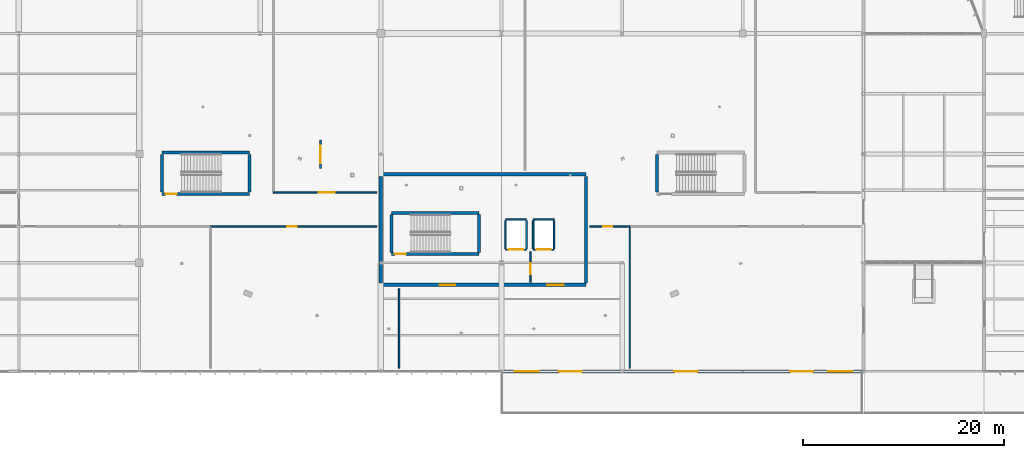
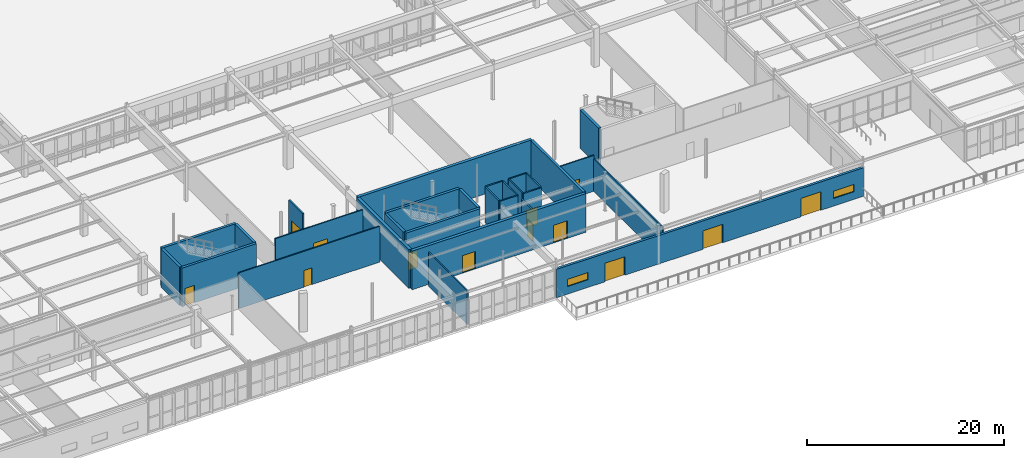
# One storey, part 161 of 199: 29 walls, 14 doors, 2 windows, 16 openings.
"""IFC4 building model written with IfcOpenShell, lengths in metres."""

from ifc_helpers import new_model, si_unit, direction, frame, frame_2d, origin, place, context, subcontext, project, spatial, rectangle, extrude, material, layer, layer_set, type_object, element, fill, save


model = new_model("IFC4")

# Units and contexts
model_context = context("Model", 3, precision=1e-05, world=origin(), true_north=direction((0.0, 1.0)))
body_context = subcontext(model_context, "Body", "Model", "MODEL_VIEW")
ifc_project = project(units=[si_unit("LENGTHUNIT", "METRE"), si_unit("AREAUNIT", "SQUARE_METRE"), si_unit("VOLUMEUNIT", "CUBIC_METRE"), si_unit("PLANEANGLEUNIT", "RADIAN"), si_unit("MASSUNIT", "GRAM", prefix="KILO")], contexts=[model_context])

# Site, building, storey
site_placement = place(None, origin())
site = spatial("IfcSite", under=ifc_project, at=site_placement, CompositionType="ELEMENT")
building_placement = place(site_placement, origin())
building = spatial("IfcBuilding", under=site, at=building_placement, Name="Tarnwether General Hospital", CompositionType="ELEMENT")
storey_placement = place(building_placement, origin())
storey = spatial("IfcBuildingStorey", under=building, at=storey_placement, Name="L00", CompositionType="ELEMENT", Elevation=0.0)

# Wall, openings, doors, windows
ifc_material_1 = material(Name="Precast concrete 40 MPa", Category="concrete")
ifc_layer_1 = layer(ifc_material_1, 0.280029296875)
ifc_layer_set_1 = layer_set([ifc_layer_1], Name="Precast concrete 40 MPa")
wall_type_1 = type_object("IfcWallType", Name="WL-EX280", PredefinedType="STANDARD", material=ifc_layer_set_1)
wall_1_placement = place(storey_placement, frame((132.0, 0.0, 0.0), z_axis=(0.0, 0.0, 1.0), x_axis=(-1.0, 0.0, 0.0)))
wall_1 = element("IfcWall", 1, at=wall_1_placement, inside=storey, type_object=wall_type_1, Name="L00 South Street Wall EW-L00-0288", PredefinedType="STANDARD", context=body_context, shape_type="SweptSolid", body=[
    extrude(rectangle(XDim=36.0, YDim=0.280029296875, at=frame_2d((18.0, 0.0))), origin(), (0.0, 0.0, 1.0), 3.530029296875),
])
opening_1_placement = place(wall_1_placement, frame((5.0, 0.0, 0.0)))
opening_1 = element("IfcOpeningElement", 2, at=opening_1_placement, cuts=wall_1, Name="Opening ED-02", PredefinedType="OPENING", context=body_context, shape_type="SweptSolid", body=[
    extrude(rectangle(XDim=2.300048828125, YDim=2.300048828125, at=frame_2d((1.14990234375, 1.14990234375))), frame((0.0, 0.14990234375, 0.0), z_axis=(0.0, -1.0, 0.0), x_axis=(1.0, 0.0, 0.0)), (0.0, 0.0, 1.0), 0.300048828125),
])
opening_2_placement = place(wall_1_placement, frame((16.5, 0.0, 0.0)))
opening_2 = element("IfcOpeningElement", 3, at=opening_2_placement, cuts=wall_1, Name="Opening ED-02", PredefinedType="OPENING", context=body_context, shape_type="SweptSolid", body=[
    extrude(rectangle(XDim=2.300048828125, YDim=2.300048828125, at=frame_2d((1.14990234375, 1.14990234375))), frame((0.0, 0.14990234375, 0.0), z_axis=(0.0, -1.0, 0.0), x_axis=(1.0, 0.0, 0.0)), (0.0, 0.0, 1.0), 0.300048828125),
])
opening_3_placement = place(wall_1_placement, frame((28.0, 0.0, 0.0)))
opening_3 = element("IfcOpeningElement", 4, at=opening_3_placement, cuts=wall_1, Name="Opening ED-02", PredefinedType="OPENING", context=body_context, shape_type="SweptSolid", body=[
    extrude(rectangle(XDim=2.300048828125, YDim=2.300048828125, at=frame_2d((1.14990234375, 1.14990234375))), frame((0.0, 0.14990234375, 0.0), z_axis=(0.0, -1.0, 0.0), x_axis=(1.0, 0.0, 0.0)), (0.0, 0.0, 1.0), 0.300048828125),
])
opening_4_placement = place(wall_1_placement, frame((1.10009765625, 0.0, 0.949951171875)))
opening_4 = element("IfcOpeningElement", 5, at=opening_4_placement, cuts=wall_1, Name="Opening W-19", PredefinedType="OPENING", context=body_context, shape_type="SweptSolid", body=[
    extrude(rectangle(XDim=2.39990234375, YDim=0.89990234375, at=frame_2d((1.199951171875, 0.449951171875))), frame((0.0, 0.14990234375, 0.0), z_axis=(0.0, -1.0, 0.0), x_axis=(1.0, 0.0, 0.0)), (0.0, 0.0, 1.0), 0.300048828125),
])
opening_5_placement = place(wall_1_placement, frame((32.300048828125, 0.0, 0.949951171875)))
opening_5 = element("IfcOpeningElement", 6, at=opening_5_placement, cuts=wall_1, Name="Opening W-19", PredefinedType="OPENING", context=body_context, shape_type="SweptSolid", body=[
    extrude(rectangle(XDim=2.39990234375, YDim=0.89990234375, at=frame_2d((1.199951171875, 0.449951171875))), frame((0.0, 0.14990234375, 0.0), z_axis=(0.0, -1.0, 0.0), x_axis=(1.0, 0.0, 0.0)), (0.0, 0.0, 1.0), 0.300048828125),
])
ifc_material_2 = material(Name="Anodised aluminium", Category="aluminium")
door_type_1 = type_object("IfcDoorType", Name="DR-EX02", OperationType="NOTDEFINED", PredefinedType="DOOR", material=ifc_material_2)
door_1_placement = place(opening_1_placement, origin())
door_1 = element("IfcDoor", 7, at=door_1_placement, inside=storey, type_object=door_type_1, Name="L00 South Final Exit A ED-L00-0016", OperationType="DOUBLE_DOOR_SINGLE_SWING", OverallHeight=2.300048828125, OverallWidth=2.300048828125, PredefinedType="DOOR", context=body_context, shape_type="SweptSolid", body=[
    extrude(rectangle(XDim=2.300048828125, YDim=2.300048828125, at=frame_2d((1.14990234375, 1.14990234375))), frame((0.0, 0.02490234375, 0.0), z_axis=(0.0, -1.0, 0.0), x_axis=(1.0, 0.0, 0.0)), (0.0, 0.0, 1.0), 0.050048828125),
])
fill(opening_1, door_1)
door_2_placement = place(opening_2_placement, origin())
door_2 = element("IfcDoor", 8, at=door_2_placement, inside=storey, type_object=door_type_1, Name="L00 South Final Exit B ED-L00-0017", OperationType="DOUBLE_DOOR_SINGLE_SWING", OverallHeight=2.300048828125, OverallWidth=2.300048828125, PredefinedType="DOOR", context=body_context, shape_type="SweptSolid", body=[
    extrude(rectangle(XDim=2.300048828125, YDim=2.300048828125, at=frame_2d((1.14990234375, 1.14990234375))), frame((0.0, 0.02490234375, 0.0), z_axis=(0.0, -1.0, 0.0), x_axis=(1.0, 0.0, 0.0)), (0.0, 0.0, 1.0), 0.050048828125),
])
fill(opening_2, door_2)
door_3_placement = place(opening_3_placement, origin())
door_3 = element("IfcDoor", 9, at=door_3_placement, inside=storey, type_object=door_type_1, Name="L00 South Final Exit C ED-L00-0018", OperationType="DOUBLE_DOOR_SINGLE_SWING", OverallHeight=2.300048828125, OverallWidth=2.300048828125, PredefinedType="DOOR", context=body_context, shape_type="SweptSolid", body=[
    extrude(rectangle(XDim=2.300048828125, YDim=2.300048828125, at=frame_2d((1.14990234375, 1.14990234375))), frame((0.0, 0.02490234375, 0.0), z_axis=(0.0, -1.0, 0.0), x_axis=(1.0, 0.0, 0.0)), (0.0, 0.0, 1.0), 0.050048828125),
])
fill(opening_3, door_3)
ifc_material_3 = material(Name="Double glazed low-E glass", Category="glass")
window_type = type_object("IfcWindowType", Name="WN-19", PartitioningType="DOUBLE_PANEL_HORIZONTAL", PredefinedType="WINDOW", material=ifc_material_3)
window_1_placement = place(opening_4_placement, origin())
window_1 = element("IfcWindow", 10, at=window_1_placement, inside=storey, type_object=window_type, Name="Window WN-L00-0056", OverallHeight=0.89990234375, OverallWidth=2.39990234375, PartitioningType="DOUBLE_PANEL_HORIZONTAL", PredefinedType="WINDOW", context=body_context, shape_type="SweptSolid", body=[
    extrude(rectangle(XDim=2.39990234375, YDim=0.89990234375, at=frame_2d((1.199951171875, 0.449951171875))), frame((0.0, 0.030029296875, 0.0), z_axis=(0.0, -1.0, 0.0), x_axis=(1.0, 0.0, 0.0)), (0.0, 0.0, 1.0), 0.06005859375),
])
fill(opening_4, window_1)
window_2_placement = place(opening_5_placement, origin())
window_2 = element("IfcWindow", 11, at=window_2_placement, inside=storey, type_object=window_type, Name="Window WN-L00-0057", OverallHeight=0.89990234375, OverallWidth=2.39990234375, PartitioningType="DOUBLE_PANEL_HORIZONTAL", PredefinedType="WINDOW", context=body_context, shape_type="SweptSolid", body=[
    extrude(rectangle(XDim=2.39990234375, YDim=0.89990234375, at=frame_2d((1.199951171875, 0.449951171875))), frame((0.0, 0.030029296875, 0.0), z_axis=(0.0, -1.0, 0.0), x_axis=(1.0, 0.0, 0.0)), (0.0, 0.0, 1.0), 0.06005859375),
])
fill(opening_5, window_2)

# Wall, opening, door
ifc_material_4 = material(Name="Gypsum plasterboard")
ifc_layer_2 = layer(ifc_material_4, 0.139892578125)
ifc_layer_set_2 = layer_set([ifc_layer_2], Name="Gypsum plasterboard")
wall_type_2 = type_object("IfcWallType", Name="WL-PT140", PredefinedType="PARTITIONING", material=ifc_layer_set_2)
wall_2_placement = place(storey_placement, frame((67.06494140625, 14.39990234375, 0.0), z_axis=(0.0, 0.0, 1.0), x_axis=(1.0, 0.0, 0.0)))
wall_2 = element("IfcWall", 12, at=wall_2_placement, inside=storey, type_object=wall_type_2, Name="Interior Partition PT-L00-0110", PredefinedType="PARTITIONING", context=body_context, shape_type="SweptSolid", body=[
    extrude(rectangle(XDim=16.53515625, YDim=0.139892578125, at=frame_2d((8.267578125, 0.0))), origin(), (0.0, 0.0, 1.0), 4.445068359375),
])
opening_6_placement = place(wall_2_placement, frame((7.616943359375, 0.0, 0.0)))
opening_6 = element("IfcOpeningElement", 13, at=opening_6_placement, cuts=wall_2, Name="Opening D-10", PredefinedType="OPENING", context=body_context, shape_type="SweptSolid", body=[
    extrude(rectangle(XDim=0.9599609375, YDim=2.06005859375, at=frame_2d((0.47998046875, 1.030029296875))), frame((0.0, 0.080078125, 0.0), z_axis=(0.0, -1.0, 0.0), x_axis=(1.0, 0.0, 0.0)), (0.0, 0.0, 1.0), 0.159912109375),
])
ifc_material_5 = material(Name="Anodised aluminium", Category="aluminium")
door_type_2 = type_object("IfcDoorType", Name="DR-IN10", OperationType="NOTDEFINED", PredefinedType="DOOR", material=ifc_material_5)
door_4_placement = place(opening_6_placement, origin())
door_4 = element("IfcDoor", 14, at=door_4_placement, inside=storey, type_object=door_type_2, Name="Interior Door DR-L00-0062", OperationType="SINGLE_SWING_RIGHT", OverallHeight=2.06005859375, OverallWidth=0.9599609375, PredefinedType="DOOR", context=body_context, shape_type="SweptSolid", body=[
    extrude(rectangle(XDim=0.9599609375, YDim=2.06005859375, at=frame_2d((0.47998046875, 1.030029296875))), frame((0.0, 0.02490234375, 0.0), z_axis=(0.0, -1.0, 0.0), x_axis=(1.0, 0.0, 0.0)), (0.0, 0.0, 1.0), 0.050048828125),
])
fill(opening_6, door_4)

# Wall
wall_3_placement = place(storey_placement, frame((85.830078125, 0.300048828125, 0.0), z_axis=(0.0, 0.0, 1.0), x_axis=(0.0, 1.0, 0.0)))
element("IfcWall", 15, at=wall_3_placement, inside=storey, type_object=wall_type_2, Name="Interior Partition PT-L00-0111", PredefinedType="PARTITIONING", context=body_context, shape_type="SweptSolid", body=[
    extrude(rectangle(XDim=7.89990234375, YDim=0.139892578125, at=frame_2d((3.949951171875, 0.0))), origin(), (0.0, 0.0, 1.0), 4.174072265625),
])

# Wall, opening, door
wall_4_placement = place(storey_placement, frame((104.800048828125, 14.39990234375, 0.0), z_axis=(0.0, 0.0, 1.0), x_axis=(1.0, 0.0, 0.0)))
wall_4 = element("IfcWall", 16, at=wall_4_placement, inside=storey, type_object=wall_type_2, Name="Interior Partition PT-L00-0112", PredefinedType="PARTITIONING", context=body_context, shape_type="SweptSolid", body=[
    extrude(rectangle(XDim=3.96484375, YDim=0.139892578125, at=frame_2d((1.982421875, 0.0))), origin(), (0.0, 0.0, 1.0), 4.445068359375),
])
opening_7_placement = place(wall_4_placement, frame((1.33203125, 0.0, 0.0)))
opening_7 = element("IfcOpeningElement", 17, at=opening_7_placement, cuts=wall_4, Name="Opening D-11", PredefinedType="OPENING", context=body_context, shape_type="SweptSolid", body=[
    extrude(rectangle(XDim=0.89990234375, YDim=2.10009765625, at=frame_2d((0.449951171875, 1.050048828125))), frame((0.0, 0.080078125, 0.0), z_axis=(0.0, -1.0, 0.0), x_axis=(1.0, 0.0, 0.0)), (0.0, 0.0, 1.0), 0.159912109375),
])
ifc_material_6 = material(Name="Anodised aluminium", Category="aluminium")
door_type_3 = type_object("IfcDoorType", Name="DR-IN11", OperationType="NOTDEFINED", PredefinedType="DOOR", material=ifc_material_6)
door_5_placement = place(opening_7_placement, origin())
door_5 = element("IfcDoor", 18, at=door_5_placement, inside=storey, type_object=door_type_3, Name="Interior Door DR-L00-0063", OperationType="SINGLE_SWING_LEFT", OverallHeight=2.10009765625, OverallWidth=0.89990234375, PredefinedType="DOOR", context=body_context, shape_type="SweptSolid", body=[
    extrude(rectangle(XDim=0.89990234375, YDim=2.10009765625, at=frame_2d((0.449951171875, 1.050048828125))), frame((0.0, 0.02490234375, 0.0), z_axis=(0.0, -1.0, 0.0), x_axis=(1.0, 0.0, 0.0)), (0.0, 0.0, 1.0), 0.050048828125),
])
fill(opening_7, door_5)

# Wall
wall_5_placement = place(storey_placement, frame((108.764892578125, 0.300048828125, 0.0), z_axis=(0.0, 0.0, 1.0), x_axis=(0.0, 1.0, 0.0)))
element("IfcWall", 19, at=wall_5_placement, inside=storey, type_object=wall_type_2, Name="Interior Partition PT-L00-0113", PredefinedType="PARTITIONING", context=body_context, shape_type="SweptSolid", body=[
    extrude(rectangle(XDim=14.099853515625, YDim=0.139892578125, at=frame_2d((7.0498046875, 0.0))), origin(), (0.0, 0.0, 1.0), 4.027099609375),
])

# Wall, opening, door
wall_6_placement = place(storey_placement, frame((73.320068359375, 17.800048828125, 0.0), z_axis=(0.0, 0.0, 1.0), x_axis=(1.0, 0.0, 0.0)))
wall_6 = element("IfcWall", 20, at=wall_6_placement, inside=storey, type_object=wall_type_2, Name="Interior Partition PT-L00-0116", PredefinedType="PARTITIONING", context=body_context, shape_type="SweptSolid", body=[
    extrude(rectangle(XDim=10.280029296875, YDim=0.139892578125, at=frame_2d((5.14013671875, 0.0))), origin(), (0.0, 0.0, 1.0), 4.445068359375),
])
opening_8_placement = place(wall_6_placement, frame((4.489990234375, 0.0, 0.0)))
opening_8 = element("IfcOpeningElement", 21, at=opening_8_placement, cuts=wall_6, Name="Opening SD-02", PredefinedType="OPENING", context=body_context, shape_type="SweptSolid", body=[
    extrude(rectangle(XDim=1.6201171875, YDim=2.300048828125, at=frame_2d((0.81005859375, 1.14990234375))), frame((0.0, 0.080078125, 0.0), z_axis=(0.0, -1.0, 0.0), x_axis=(1.0, 0.0, 0.0)), (0.0, 0.0, 1.0), 0.159912109375),
])
ifc_material_7 = material(Name="Anodised aluminium", Category="aluminium")
door_type_4 = type_object("IfcDoorType", Name="DR-OR02", OperationType="NOTDEFINED", PredefinedType="DOOR", material=ifc_material_7)
door_6_placement = place(opening_8_placement, origin())
door_6 = element("IfcDoor", 22, at=door_6_placement, inside=storey, type_object=door_type_4, Name="Interior Door DR-L00-0065", OperationType="SLIDING_TO_RIGHT", OverallHeight=2.300048828125, OverallWidth=1.6201171875, PredefinedType="DOOR", context=body_context, shape_type="SweptSolid", body=[
    extrude(rectangle(XDim=1.6201171875, YDim=2.300048828125, at=frame_2d((0.81005859375, 1.14990234375))), frame((0.0, 0.02490234375, 0.0), z_axis=(0.0, -1.0, 0.0), x_axis=(1.0, 0.0, 0.0)), (0.0, 0.0, 1.0), 0.050048828125),
])
fill(opening_8, door_6)

ifc_material_8 = material(Name="Gypsum plasterboard")
ifc_layer_3 = layer(ifc_material_8, 0.159912109375)
ifc_layer_set_3 = layer_set([ifc_layer_3], Name="Gypsum plasterboard")
wall_type_3 = type_object("IfcWallType", Name="WL-PT160", PredefinedType="PARTITIONING", material=ifc_layer_set_3)
wall_7_placement = place(storey_placement, frame((96.409912109375, 12.110107421875, 0.0), z_axis=(0.0, 0.0, 1.0), x_axis=(1.0, 0.0, 0.0)))
wall_7 = element("IfcWall", 23, at=wall_7_placement, inside=storey, type_object=wall_type_3, Name="Lift L-02 Shaft Wall LSH-L-02-L00-S", PredefinedType="PARTITIONING", context=body_context, shape_type="SweptSolid", body=[
    extrude(rectangle(XDim=2.080078125, YDim=0.159912109375, at=frame_2d((1.0400390625, 0.0))), origin(), (0.0, 0.0, 1.0), 4.445068359375),
])
opening_9_placement = place(wall_7_placement, frame((0.340087890625, 0.0, 0.0)))
opening_9 = element("IfcOpeningElement", 24, at=opening_9_placement, cuts=wall_7, Name="Opening LD-01", PredefinedType="OPENING", context=body_context, shape_type="SweptSolid", body=[
    extrude(rectangle(XDim=1.39990234375, YDim=2.199951171875, at=frame_2d((0.699951171875, 1.10009765625))), frame((0.0, 0.08984375, 0.0), z_axis=(0.0, -1.0, 0.0), x_axis=(1.0, 0.0, 0.0)), (0.0, 0.0, 1.0), 0.179931640625),
])
ifc_material_9 = material(Name="Anodised aluminium", Category="aluminium")
door_type_5 = type_object("IfcDoorType", Name="DR-LD01", OperationType="NOTDEFINED", PredefinedType="DOOR", material=ifc_material_9)
door_7_placement = place(opening_9_placement, origin())
door_7 = element("IfcDoor", 25, at=door_7_placement, inside=storey, type_object=door_type_5, Name="Lift L-02 Sliding Landing Door L00", OperationType="SLIDING_TO_RIGHT", OverallHeight=2.199951171875, OverallWidth=1.39990234375, PredefinedType="DOOR", context=body_context, shape_type="SweptSolid", body=[
    extrude(rectangle(XDim=1.39990234375, YDim=2.199951171875, at=frame_2d((0.699951171875, 1.10009765625))), frame((0.0, 0.02490234375, 0.0), z_axis=(0.0, -1.0, 0.0), x_axis=(1.0, 0.0, 0.0)), (0.0, 0.0, 1.0), 0.050048828125),
])
fill(opening_9, door_7)

# Walls
wall_8_placement = place(storey_placement, frame((98.489990234375, 15.090087890625, 0.0), z_axis=(0.0, 0.0, 1.0), x_axis=(-1.0, 0.0, 0.0)))
element("IfcWall", 26, at=wall_8_placement, inside=storey, type_object=wall_type_3, Name="Lift L-02 Shaft Wall LSH-L-02-L00-N", PredefinedType="PARTITIONING", context=body_context, shape_type="SweptSolid", body=[
    extrude(rectangle(XDim=2.080078125, YDim=0.159912109375, at=frame_2d((1.0400390625, 0.0))), origin(), (0.0, 0.0, 1.0), 4.445068359375),
])
for number, where, z_axis, x_axis, name in (
    (27, (96.409912109375, 14.989990234375, 0.0), (0.0, 0.0, 1.0), (0.0, -1.0, 0.0), "Lift L-02 Shaft Wall LSH-L-02-L00-W"),
    (28, (98.489990234375, 12.2099609375, 0.0), (0.0, 0.0, 1.0), (0.0, 1.0, 0.0), "Lift L-02 Shaft Wall LSH-L-02-L00-E"),
):
    element("IfcWall", number, at=place(storey_placement, frame(where, z_axis=z_axis, x_axis=x_axis)), inside=storey, type_object=wall_type_3, Name=name, PredefinedType="PARTITIONING", context=body_context, shape_type="SweptSolid", body=[
        extrude(rectangle(XDim=2.780029296875, YDim=0.159912109375, at=frame_2d((1.39013671875, 0.0))), origin(), (0.0, 0.0, 1.0), 4.445068359375),
    ])

# Wall, opening, door
wall_9_placement = place(storey_placement, frame((99.159912109375, 12.110107421875, 0.0), z_axis=(0.0, 0.0, 1.0), x_axis=(1.0, 0.0, 0.0)))
wall_9 = element("IfcWall", 29, at=wall_9_placement, inside=storey, type_object=wall_type_3, Name="Lift L-04 Shaft Wall LSH-L-04-L00-S", PredefinedType="PARTITIONING", context=body_context, shape_type="SweptSolid", body=[
    extrude(rectangle(XDim=2.080078125, YDim=0.159912109375, at=frame_2d((1.0400390625, 0.0))), origin(), (0.0, 0.0, 1.0), 4.445068359375),
])
opening_10_placement = place(wall_9_placement, frame((0.340087890625, 0.0, 0.0)))
opening_10 = element("IfcOpeningElement", 30, at=opening_10_placement, cuts=wall_9, Name="Opening LD-01", PredefinedType="OPENING", context=body_context, shape_type="SweptSolid", body=[
    extrude(rectangle(XDim=1.39990234375, YDim=2.199951171875, at=frame_2d((0.699951171875, 1.10009765625))), frame((0.0, 0.08984375, 0.0), z_axis=(0.0, -1.0, 0.0), x_axis=(1.0, 0.0, 0.0)), (0.0, 0.0, 1.0), 0.179931640625),
])
door_8_placement = place(opening_10_placement, origin())
door_8 = element("IfcDoor", 31, at=door_8_placement, inside=storey, type_object=door_type_5, Name="Lift L-04 Sliding Landing Door L00", OperationType="SLIDING_TO_RIGHT", OverallHeight=2.199951171875, OverallWidth=1.39990234375, PredefinedType="DOOR", context=body_context, shape_type="SweptSolid", body=[
    extrude(rectangle(XDim=1.39990234375, YDim=2.199951171875, at=frame_2d((0.699951171875, 1.10009765625))), frame((0.0, 0.02490234375, 0.0), z_axis=(0.0, -1.0, 0.0), x_axis=(1.0, 0.0, 0.0)), (0.0, 0.0, 1.0), 0.050048828125),
])
fill(opening_10, door_8)

# Walls
wall_10_placement = place(storey_placement, frame((101.239990234375, 15.090087890625, 0.0), z_axis=(0.0, 0.0, 1.0), x_axis=(-1.0, 0.0, 0.0)))
element("IfcWall", 32, at=wall_10_placement, inside=storey, type_object=wall_type_3, Name="Lift L-04 Shaft Wall LSH-L-04-L00-N", PredefinedType="PARTITIONING", context=body_context, shape_type="SweptSolid", body=[
    extrude(rectangle(XDim=2.080078125, YDim=0.159912109375, at=frame_2d((1.0400390625, 0.0))), origin(), (0.0, 0.0, 1.0), 4.445068359375),
])
for number, where, z_axis, x_axis, name in (
    (33, (99.159912109375, 14.989990234375, 0.0), (0.0, 0.0, 1.0), (0.0, -1.0, 0.0), "Lift L-04 Shaft Wall LSH-L-04-L00-W"),
    (34, (101.239990234375, 12.2099609375, 0.0), (0.0, 0.0, 1.0), (0.0, 1.0, 0.0), "Lift L-04 Shaft Wall LSH-L-04-L00-E"),
):
    element("IfcWall", number, at=place(storey_placement, frame(where, z_axis=z_axis, x_axis=x_axis)), inside=storey, type_object=wall_type_3, Name=name, PredefinedType="PARTITIONING", context=body_context, shape_type="SweptSolid", body=[
        extrude(rectangle(XDim=2.780029296875, YDim=0.159912109375, at=frame_2d((1.39013671875, 0.0))), origin(), (0.0, 0.0, 1.0), 4.445068359375),
    ])

# Wall, opening, door
wall_11_placement = place(storey_placement, frame((98.89990234375, 8.85009765625, 0.0), z_axis=(0.0, 0.0, 1.0), x_axis=(0.0, 1.0, 0.0)))
wall_11 = element("IfcWall", 35, at=wall_11_placement, inside=storey, type_object=wall_type_3, Name="Firefighting Lobby Divider K2 L00", PredefinedType="PARTITIONING", context=body_context, shape_type="SweptSolid", body=[
    extrude(rectangle(XDim=3.0498046875, YDim=0.159912109375, at=frame_2d((1.52490234375, 0.0))), origin(), (0.0, 0.0, 1.0), 3.97607421875),
])
opening_11_placement = place(wall_11_placement, frame((0.800048828125, 0.0, 0.0)))
opening_11 = element("IfcOpeningElement", 36, at=opening_11_placement, cuts=wall_11, Name="Opening FD-06", PredefinedType="OPENING", context=body_context, shape_type="SweptSolid", body=[
    extrude(rectangle(XDim=1.10009765625, YDim=2.14990234375, at=frame_2d((0.550048828125, 1.074951171875))), frame((0.0, 0.08984375, 0.0), z_axis=(0.0, -1.0, 0.0), x_axis=(1.0, 0.0, 0.0)), (0.0, 0.0, 1.0), 0.179931640625),
])
ifc_material_10 = material(Name="Anodised aluminium", Category="aluminium")
door_type_6 = type_object("IfcDoorType", Name="DR-FD06", OperationType="NOTDEFINED", PredefinedType="DOOR", material=ifc_material_10)
door_9_placement = place(opening_11_placement, origin())
door_9 = element("IfcDoor", 37, at=door_9_placement, inside=storey, type_object=door_type_6, Name="Core K2 Inter-Lobby Smoke Door L00", OperationType="SINGLE_SWING_RIGHT", OverallHeight=2.14990234375, OverallWidth=1.10009765625, PredefinedType="DOOR", context=body_context, shape_type="SweptSolid", body=[
    extrude(rectangle(XDim=1.10009765625, YDim=2.14990234375, at=frame_2d((0.550048828125, 1.074951171875))), frame((0.0, 0.02490234375, 0.0), z_axis=(0.0, -1.0, 0.0), x_axis=(1.0, 0.0, 0.0)), (0.0, 0.0, 1.0), 0.050048828125),
])
fill(opening_11, door_9)

ifc_material_11 = material(Name="Gypsum plasterboard")
ifc_layer_4 = layer(ifc_material_11, 0.179931640625)
ifc_layer_set_4 = layer_set([ifc_layer_4], Name="Gypsum plasterboard")
wall_type_4 = type_object("IfcWallType", Name="WL-PT180", PredefinedType="PARTITIONING", material=ifc_layer_set_4)
wall_12_placement = place(storey_placement, frame((78.0, 20.199951171875, 0.0), z_axis=(0.0, 0.0, 1.0), x_axis=(0.0, 1.0, 0.0)))
wall_12 = element("IfcWall", 38, at=wall_12_placement, inside=storey, type_object=wall_type_4, Name="Fire Compartment Barrier PT-COMP-L00-05", PredefinedType="PARTITIONING", context=body_context, shape_type="SweptSolid", body=[
    extrude(rectangle(XDim=2.800048828125, YDim=0.179931640625, at=frame_2d((1.39990234375, 0.0))), origin(), (0.0, 0.0, 1.0), 4.445068359375),
])
opening_12_placement = place(wall_12_placement, frame((0.5, 0.0, 0.0)))
opening_12 = element("IfcOpeningElement", 39, at=opening_12_placement, cuts=wall_12, Name="Opening FD-07", PredefinedType="OPENING", context=body_context, shape_type="SweptSolid", body=[
    extrude(rectangle(XDim=1.75, YDim=2.25, at=frame_2d((0.875, 1.125))), frame((0.0, 0.10009765625, 0.0), z_axis=(0.0, -1.0, 0.0), x_axis=(1.0, 0.0, 0.0)), (0.0, 0.0, 1.0), 0.199951171875),
])
ifc_material_12 = material(Name="Anodised aluminium", Category="aluminium")
door_type_7 = type_object("IfcDoorType", Name="DR-FD07", OperationType="NOTDEFINED", PredefinedType="DOOR", material=ifc_material_12)
door_10_placement = place(opening_12_placement, origin())
door_10 = element("IfcDoor", 40, at=door_10_placement, inside=storey, type_object=door_type_7, Name="Hold-Open Smoke Compartment Door 05", OperationType="DOUBLE_DOOR_SINGLE_SWING", OverallHeight=2.25, OverallWidth=1.75, PredefinedType="DOOR", context=body_context, shape_type="SweptSolid", body=[
    extrude(rectangle(XDim=1.75, YDim=2.25, at=frame_2d((0.875, 1.125))), frame((0.0, 0.02490234375, 0.0), z_axis=(0.0, -1.0, 0.0), x_axis=(1.0, 0.0, 0.0)), (0.0, 0.0, 1.0), 0.050048828125),
])
fill(opening_12, door_10)

# Wall
ifc_material_13 = material(Name="Concrete 50 MPa", Category="concrete")
ifc_layer_5 = layer(ifc_material_13, 0.300048828125)
ifc_layer_set_5 = layer_set([ifc_layer_5], Name="Concrete 50 MPa")
wall_type_5 = type_object("IfcWallType", Name="WL-SW300", PredefinedType="SHEAR", material=ifc_layer_set_5)
wall_13_placement = place(storey_placement, frame((104.39990234375, 19.39990234375, 0.0), z_axis=(0.0, 0.0, 1.0), x_axis=(0.0, -1.0, 0.0)))
element("IfcWall", 41, at=wall_13_placement, inside=storey, type_object=wall_type_5, Name="Core Shear Wall CWALL-K2-L00-E", PredefinedType="SHEAR", context=body_context, shape_type="SweptSolid", body=[
    extrude(rectangle(XDim=10.599853515625, YDim=0.300048828125, at=frame_2d((5.2998046875, 0.0))), origin(), (0.0, 0.0, 1.0), 4.800048828125),
])

# Wall, opening, door
wall_14_placement = place(storey_placement, frame((85.050048828125, 11.64990234375, 0.0), z_axis=(0.0, 0.0, 1.0), x_axis=(1.0, 0.0, 0.0)))
wall_14 = element("IfcWall", 42, at=wall_14_placement, inside=storey, type_object=wall_type_5, Name="Stairwell Shear Wall STW-ST-02-L00-B", PredefinedType="SHEAR", context=body_context, shape_type="SweptSolid", body=[
    extrude(rectangle(XDim=8.699951171875, YDim=0.300048828125, at=frame_2d((4.35009765625, 0.0))), origin(), (0.0, 0.0, 1.0), 4.800048828125),
])
opening_13_placement = place(wall_14_placement, frame((0.35009765625, 0.0, 0.0)))
opening_13 = element("IfcOpeningElement", 43, at=opening_13_placement, cuts=wall_14, Name="Opening FD-06", PredefinedType="OPENING", context=body_context, shape_type="SweptSolid", body=[
    extrude(rectangle(XDim=1.10009765625, YDim=2.14990234375, at=frame_2d((0.550048828125, 1.074951171875))), frame((0.0, 0.16015625, 0.0), z_axis=(0.0, -1.0, 0.0), x_axis=(1.0, 0.0, 0.0)), (0.0, 0.0, 1.0), 0.320068359375),
])
door_11_placement = place(opening_13_placement, origin())
door_11 = element("IfcDoor", 44, at=door_11_placement, inside=storey, type_object=door_type_6, Name="Stairwell ST-02 Safe-Path Fire Door L00", OperationType="SINGLE_SWING_RIGHT", OverallHeight=2.14990234375, OverallWidth=1.10009765625, PredefinedType="DOOR", context=body_context, shape_type="SweptSolid", body=[
    extrude(rectangle(XDim=1.10009765625, YDim=2.14990234375, at=frame_2d((0.550048828125, 1.074951171875))), frame((0.0, 0.02490234375, 0.0), z_axis=(0.0, -1.0, 0.0), x_axis=(1.0, 0.0, 0.0)), (0.0, 0.0, 1.0), 0.050048828125),
])
fill(opening_13, door_11)

# Walls
wall_15_placement = place(storey_placement, frame((93.75, 15.75, 0.0), z_axis=(0.0, 0.0, 1.0), x_axis=(-1.0, 0.0, 0.0)))
element("IfcWall", 45, at=wall_15_placement, inside=storey, type_object=wall_type_5, Name="Stairwell Shear Wall STW-ST-02-L00-N", PredefinedType="SHEAR", context=body_context, shape_type="SweptSolid", body=[
    extrude(rectangle(XDim=8.699951171875, YDim=0.300048828125, at=frame_2d((4.35009765625, 0.0))), origin(), (0.0, 0.0, 1.0), 4.800048828125),
])
for number, where, z_axis, x_axis, name in (
    (46, (85.050048828125, 11.820068359375, 0.0), (0.0, 0.0, 1.0), (0.0, 1.0, 0.0), "Stairwell Shear Wall STW-ST-02-L00-L"),
    (47, (93.75, 11.820068359375, 0.0), (0.0, 0.0, 1.0), (0.0, 1.0, 0.0), "Stairwell Shear Wall STW-ST-02-L00-F"),
):
    element("IfcWall", number, at=place(storey_placement, frame(where, z_axis=z_axis, x_axis=x_axis)), inside=storey, type_object=wall_type_5, Name=name, PredefinedType="SHEAR", context=body_context, shape_type="SweptSolid", body=[
        extrude(rectangle(XDim=3.760009765625, YDim=0.300048828125, at=frame_2d((1.8798828125, 0.0))), origin(), (0.0, 0.0, 1.0), 4.800048828125),
    ])

# Wall, opening, door
wall_16_placement = place(storey_placement, frame((62.25, 17.64990234375, 0.0), z_axis=(0.0, 0.0, 1.0), x_axis=(1.0, 0.0, 0.0)))
wall_16 = element("IfcWall", 48, at=wall_16_placement, inside=storey, type_object=wall_type_5, Name="Stairwell Shear Wall STW-ST-09-L00-B", PredefinedType="SHEAR", context=body_context, shape_type="SweptSolid", body=[
    extrude(rectangle(XDim=8.699951171875, YDim=0.300048828125, at=frame_2d((4.35009765625, 0.0))), origin(), (0.0, 0.0, 1.0), 4.800048828125),
])
opening_14_placement = place(wall_16_placement, frame((0.35009765625, 0.0, 0.0)))
opening_14 = element("IfcOpeningElement", 49, at=opening_14_placement, cuts=wall_16, Name="Opening FD-06", PredefinedType="OPENING", context=body_context, shape_type="SweptSolid", body=[
    extrude(rectangle(XDim=1.10009765625, YDim=2.14990234375, at=frame_2d((0.550048828125, 1.074951171875))), frame((0.0, 0.16015625, 0.0), z_axis=(0.0, -1.0, 0.0), x_axis=(1.0, 0.0, 0.0)), (0.0, 0.0, 1.0), 0.320068359375),
])
door_12_placement = place(opening_14_placement, origin())
door_12 = element("IfcDoor", 50, at=door_12_placement, inside=storey, type_object=door_type_6, Name="Stairwell ST-09 Safe-Path Fire Door L00", OperationType="SINGLE_SWING_LEFT", OverallHeight=2.14990234375, OverallWidth=1.10009765625, PredefinedType="DOOR", context=body_context, shape_type="SweptSolid", body=[
    extrude(rectangle(XDim=1.10009765625, YDim=2.14990234375, at=frame_2d((0.550048828125, 1.074951171875))), frame((0.0, 0.02490234375, 0.0), z_axis=(0.0, -1.0, 0.0), x_axis=(1.0, 0.0, 0.0)), (0.0, 0.0, 1.0), 0.050048828125),
])
fill(opening_14, door_12)

# Walls
wall_17_placement = place(storey_placement, frame((70.949951171875, 21.75, 0.0), z_axis=(0.0, 0.0, 1.0), x_axis=(-1.0, 0.0, 0.0)))
element("IfcWall", 51, at=wall_17_placement, inside=storey, type_object=wall_type_5, Name="Stairwell Shear Wall STW-ST-09-L00-N", PredefinedType="SHEAR", context=body_context, shape_type="SweptSolid", body=[
    extrude(rectangle(XDim=8.699951171875, YDim=0.300048828125, at=frame_2d((4.35009765625, 0.0))), origin(), (0.0, 0.0, 1.0), 4.800048828125),
])
for number, where, z_axis, x_axis, name in (
    (52, (62.25, 17.820068359375, 0.0), (0.0, 0.0, 1.0), (0.0, 1.0, 0.0), "Stairwell Shear Wall STW-ST-09-L00-L"),
    (53, (70.949951171875, 17.820068359375, 0.0), (0.0, 0.0, 1.0), (0.0, 1.0, 0.0), "Stairwell Shear Wall STW-ST-09-L00-F"),
    (54, (111.449951171875, 17.820068359375, 0.0), (0.0, 0.0, 1.0), (0.0, 1.0, 0.0), "Stairwell Shear Wall STW-ST-10-L00-L"),
):
    element("IfcWall", number, at=place(storey_placement, frame(where, z_axis=z_axis, x_axis=x_axis)), inside=storey, type_object=wall_type_5, Name=name, PredefinedType="SHEAR", context=body_context, shape_type="SweptSolid", body=[
        extrude(rectangle(XDim=3.760009765625, YDim=0.300048828125, at=frame_2d((1.8798828125, 0.0))), origin(), (0.0, 0.0, 1.0), 4.800048828125),
    ])
ifc_material_14 = material(Name="Concrete 50 MPa", Category="concrete")
ifc_layer_6 = layer(ifc_material_14, 0.35009765625)
ifc_layer_set_6 = layer_set([ifc_layer_6], Name="Concrete 50 MPa")
wall_type_6 = type_object("IfcWallType", Name="WL-SW350", PredefinedType="SHEAR", material=ifc_layer_set_6)
wall_18_placement = place(storey_placement, frame((84.0, 19.60009765625, 0.0), z_axis=(0.0, 0.0, 1.0), x_axis=(1.0, 0.0, 0.0)))
element("IfcWall", 55, at=wall_18_placement, inside=storey, type_object=wall_type_6, Name="Core Shear Wall CWALL-K2-L00-N", PredefinedType="SHEAR", context=body_context, shape_type="SweptSolid", body=[
    extrude(rectangle(XDim=20.39990234375, YDim=0.35009765625, at=frame_2d((10.199951171875, 0.0))), origin(), (0.0, 0.0, 1.0), 4.800048828125),
])

# Wall, openings, doors
wall_19_placement = place(storey_placement, frame((104.39990234375, 8.60009765625, 0.0), z_axis=(0.0, 0.0, 1.0), x_axis=(-1.0, 0.0, 0.0)))
wall_19 = element("IfcWall", 56, at=wall_19_placement, inside=storey, type_object=wall_type_6, Name="Core Shear Wall CWALL-K2-L00-S", PredefinedType="SHEAR", context=body_context, shape_type="SweptSolid", body=[
    extrude(rectangle(XDim=20.39990234375, YDim=0.35009765625, at=frame_2d((10.199951171875, 0.0))), origin(), (0.0, 0.0, 1.0), 4.800048828125),
])
opening_15_placement = place(wall_19_placement, frame((2.199951171875, 0.0, 0.0)))
opening_15 = element("IfcOpeningElement", 57, at=opening_15_placement, cuts=wall_19, Name="Opening FD-01", PredefinedType="OPENING", context=body_context, shape_type="SweptSolid", body=[
    extrude(rectangle(XDim=1.639892578125, YDim=2.199951171875, at=frame_2d((0.81982421875, 1.10009765625))), frame((0.0, 0.18505859375, 0.0), z_axis=(0.0, -1.0, 0.0), x_axis=(1.0, 0.0, 0.0)), (0.0, 0.0, 1.0), 0.3701171875),
])
opening_16_placement = place(wall_19_placement, frame((13.0, 0.0, 0.0)))
opening_16 = element("IfcOpeningElement", 58, at=opening_16_placement, cuts=wall_19, Name="Opening FD-02", PredefinedType="OPENING", context=body_context, shape_type="SweptSolid", body=[
    extrude(rectangle(XDim=1.52001953125, YDim=2.159912109375, at=frame_2d((0.760009765625, 1.080078125))), frame((0.0, 0.18505859375, 0.0), z_axis=(0.0, -1.0, 0.0), x_axis=(1.0, 0.0, 0.0)), (0.0, 0.0, 1.0), 0.3701171875),
])
ifc_material_15 = material(Name="Anodised aluminium", Category="aluminium")
door_type_8 = type_object("IfcDoorType", Name="DR-FD01", OperationType="NOTDEFINED", PredefinedType="DOOR", material=ifc_material_15)
door_13_placement = place(opening_15_placement, origin())
door_13 = element("IfcDoor", 59, at=door_13_placement, inside=storey, type_object=door_type_8, Name="Core K2 Lobby Fire Door L00", OperationType="DOUBLE_DOOR_SINGLE_SWING", OverallHeight=2.199951171875, OverallWidth=1.639892578125, PredefinedType="DOOR", context=body_context, shape_type="SweptSolid", body=[
    extrude(rectangle(XDim=1.639892578125, YDim=2.199951171875, at=frame_2d((0.81982421875, 1.10009765625))), frame((0.0, 0.02490234375, 0.0), z_axis=(0.0, -1.0, 0.0), x_axis=(1.0, 0.0, 0.0)), (0.0, 0.0, 1.0), 0.050048828125),
])
fill(opening_15, door_13)
ifc_material_16 = material(Name="Anodised aluminium", Category="aluminium")
door_type_9 = type_object("IfcDoorType", Name="DR-FD02", OperationType="NOTDEFINED", PredefinedType="DOOR", material=ifc_material_16)
door_14_placement = place(opening_16_placement, origin())
door_14 = element("IfcDoor", 60, at=door_14_placement, inside=storey, type_object=door_type_9, Name="Core K2 Firefighting Lobby Door L00", OperationType="SINGLE_SWING_RIGHT", OverallHeight=2.159912109375, OverallWidth=1.52001953125, PredefinedType="DOOR", context=body_context, shape_type="SweptSolid", body=[
    extrude(rectangle(XDim=1.52001953125, YDim=2.159912109375, at=frame_2d((0.760009765625, 1.080078125))), frame((0.0, 0.02490234375, 0.0), z_axis=(0.0, -1.0, 0.0), x_axis=(1.0, 0.0, 0.0)), (0.0, 0.0, 1.0), 0.050048828125),
])
fill(opening_16, door_14)

# Wall
wall_20_placement = place(storey_placement, frame((84.0, 8.800048828125, 0.0), z_axis=(0.0, 0.0, 1.0), x_axis=(0.0, 1.0, 0.0)))
element("IfcWall", 61, at=wall_20_placement, inside=storey, type_object=wall_type_6, Name="Core Shear Wall CWALL-K2-L00-W", PredefinedType="SHEAR", context=body_context, shape_type="SweptSolid", body=[
    extrude(rectangle(XDim=10.599853515625, YDim=0.35009765625, at=frame_2d((5.2998046875, 0.0))), origin(), (0.0, 0.0, 1.0), 4.800048828125),
])

save(model, "model.ifc")
